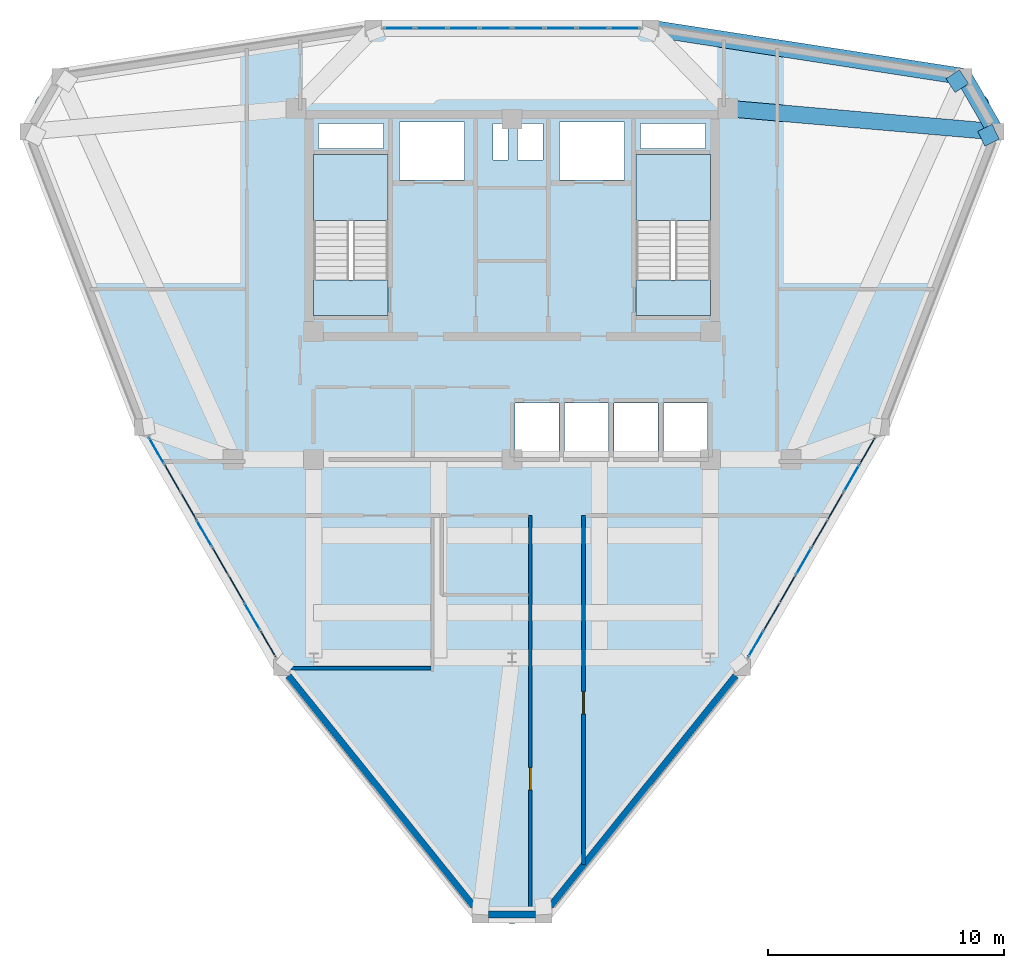
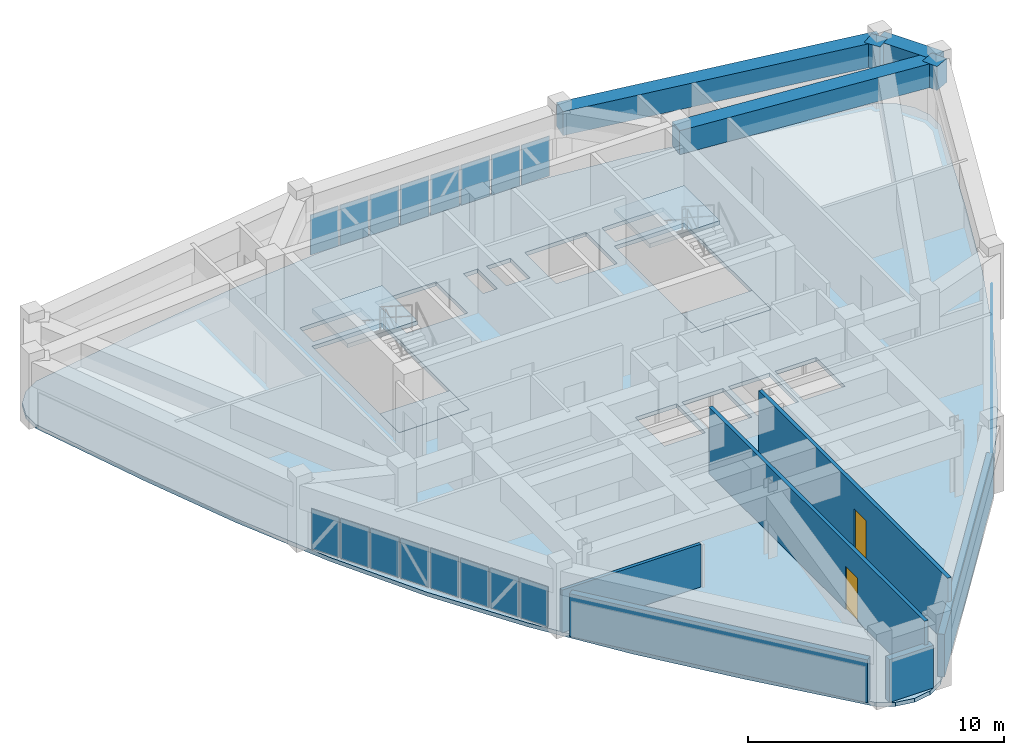
# One storey, part 10 of 14: 24 plates, 6 walls, 5 beams, 5 slabs, 2 doors, 2 openings, 5 elements without a shape of their own.
"""IFC4 building model written with IfcOpenShell, lengths in metres."""

from ifc_helpers import new_model, si_unit, derived_unit, direction, frame, frame_2d, origin, origin_2d, place, context, subcontext, project, spatial, polyline, rectangle, outline, extrude, source, transform, mapped, material, layer, layer_set, material_profile, profile_set, type_object, element, fill, aggregate, save


model = new_model("IFC4")

# Units and contexts
model_context = context("Model", 3, precision=1e-05, world=origin(), true_north=direction((0.0, 1.0)))
body_context = subcontext(model_context, "Body", "Model", "MODEL_VIEW")
ifc_project = project(units=[si_unit("LENGTHUNIT", "METRE"), si_unit("AREAUNIT", "SQUARE_METRE"), si_unit("VOLUMEUNIT", "CUBIC_METRE"), si_unit("PLANEANGLEUNIT", "RADIAN"), si_unit("MASSUNIT", "GRAM", prefix="KILO"), derived_unit("THERMALTRANSMITTANCEUNIT", [(si_unit("POWERUNIT", "WATT"), 1), (si_unit("LENGTHUNIT", "METRE"), -2), (si_unit("THERMODYNAMICTEMPERATUREUNIT", "KELVIN"), -1)])], contexts=[model_context])

# Site, building, storey
site_placement = place(None, origin())
site = spatial("IfcSite", under=ifc_project, at=site_placement, CompositionType="ELEMENT")
building_placement = place(site_placement, origin())
building = spatial("IfcBuilding", under=site, at=building_placement, Name="Korsvarv Bourse and Concert Hall", CompositionType="ELEMENT")
storey_placement = place(building_placement, frame((0.0, 0.0, 271.800048828125)))
storey = spatial("IfcBuildingStorey", under=building, at=storey_placement, Name="L71", CompositionType="ELEMENT", Elevation=271.800048828125)

# Beams
ifc_material_1 = material(Name="Concrete C50/60", Category="concrete")
ifc_material_profile = material_profile(ifc_material_1, rectangle(XDim=0.699951171875, YDim=1.139892578125, at=origin_2d()), Name="RC-BM 700x1140")
ifc_profile_set = profile_set([ifc_material_profile], Name="Concrete C50/60")
beam_type = type_object("IfcBeamType", Name="BM-TR-114", PredefinedType="BEAM", material=ifc_profile_set)
shared_shape_1 = source(origin(), body_context, "Body", "SweptSolid", [
    extrude(rectangle(XDim=0.699951171875, YDim=1.139892578125, at=origin_2d()), origin(), (0.0, 0.0, 1.0), 2.6923828125),
])
beam_1_placement = place(storey_placement, frame((56.47412109375, 46.266357421875, 2.60986328125), z_axis=(-0.500020738559, 0.86601343004, 0.0), x_axis=(-0.86601343004, -0.500020738559, 0.0)))
element("IfcBeam", 1, at=beam_1_placement, inside=storey, type_object=beam_type, Name="L71 beam B-TR5", PredefinedType="BEAM", context=body_context, shape_type="MappedRepresentation", body=[
    mapped(shared_shape_1, transform((0.0, 0.0, 0.0), scale=1.0)),
])
shared_shape_2 = source(origin(), body_context, "Body", "SweptSolid", [
    extrude(rectangle(XDim=0.699951171875, YDim=1.139892578125, at=origin_2d()), origin(), (0.0, 0.0, 1.0), 13.416015625),
])
beam_2_placement = place(storey_placement, frame((55.1279296875, 48.597900390625, 2.60986328125), z_axis=(-0.988270074885, 0.152716269881, 0.0), x_axis=(-0.152716269881, -0.988270074885, 0.0)))
element("IfcBeam", 2, at=beam_2_placement, inside=storey, type_object=beam_type, Name="L71 beam B-TR5", PredefinedType="BEAM", context=body_context, shape_type="MappedRepresentation", body=[
    mapped(shared_shape_2, transform((0.0, 0.0, 0.0), scale=1.0)),
])
shared_shape_3 = source(origin(), body_context, "Body", "SweptSolid", [
    extrude(rectangle(XDim=0.699951171875, YDim=1.139892578125, at=origin_2d()), origin(), (0.0, 0.0, 1.0), 11.366943359375),
])
beam_3_placement = place(storey_placement, frame((56.47412109375, 46.266357421875, 2.60986328125), z_axis=(-0.996248723785, 0.086536006126, 0.0), x_axis=(-0.086536006126, -0.996248723785, 0.0)))
element("IfcBeam", 3, at=beam_3_placement, inside=storey, type_object=beam_type, Name="L71 beam B-TR5", PredefinedType="BEAM", context=body_context, shape_type="MappedRepresentation", body=[
    mapped(shared_shape_3, transform((0.0, 0.0, 0.0), scale=1.0)),
])
shared_shape_4 = source(origin(), body_context, "Body", "SweptSolid", [
    extrude(rectangle(XDim=0.699951171875, YDim=1.139892578125, at=origin_2d()), origin(), (0.0, 0.0, 1.0), 0.679931640625),
])
beam_4_placement = place(storey_placement, frame((56.47412109375, 46.266357421875, 2.60986328125), z_axis=(-0.898412695999, -0.439152169148, 0.0), x_axis=(0.439152169148, -0.898412695999, 0.0)))
element("IfcBeam", 4, at=beam_4_placement, inside=storey, type_object=beam_type, Name="L71 beam B-TR5", PredefinedType="BEAM", context=body_context, shape_type="MappedRepresentation", body=[
    mapped(shared_shape_4, transform((0.0, 0.0, 0.0), scale=1.0)),
])
shared_shape_5 = source(origin(), body_context, "Body", "SweptSolid", [
    extrude(rectangle(XDim=0.699951171875, YDim=1.139892578125, at=origin_2d()), origin(), (0.0, 0.0, 1.0), 0.6796875),
])
beam_5_placement = place(storey_placement, frame((55.1279296875, 48.597900390625, 2.60986328125), z_axis=(-0.829443720355, -0.5585902924, 0.0), x_axis=(0.5585902924, -0.829443720355, 0.0)))
element("IfcBeam", 5, at=beam_5_placement, inside=storey, type_object=beam_type, Name="L71 beam B-TR5", PredefinedType="BEAM", context=body_context, shape_type="MappedRepresentation", body=[
    mapped(shared_shape_5, transform((0.0, 0.0, 0.0), scale=1.0)),
])

# Slabs
ifc_material_2 = material(Name="Precast concrete C45/55", Category="concrete")
ifc_layer_1 = layer(ifc_material_2, 0.199951171875)
ifc_layer_set_1 = layer_set([ifc_layer_1], Name="Precast concrete C45/55")
slab_type_1 = type_object("IfcSlabType", Name="SLB-FLND-T", PredefinedType="LANDING", material=ifc_layer_set_1)
slab_1_placement = place(storey_placement, frame((0.0, 0.0, -0.199951171875)))
element("IfcSlab", 6, at=slab_1_placement, inside=storey, type_object=slab_type_1, Name="L71 Stair ST-T1 Floor Landing Slab", PredefinedType="LANDING", context=body_context, shape_type="SweptSolid", body=[
    extrude(outline(polyline([(30.760009765625, 38.5), (30.760009765625, 40.0), (27.60009765625, 40.0), (27.60009765625, 38.5), (30.760009765625, 38.5)])), origin(), (0.0, 0.0, 1.0), 0.199951171875),
])
slab_2_placement = place(storey_placement, frame((0.0, 0.0, -0.199951171875)))
element("IfcSlab", 7, at=slab_2_placement, inside=storey, type_object=slab_type_1, Name="L71 Stair ST-T2 Floor Landing Slab", PredefinedType="LANDING", context=body_context, shape_type="SweptSolid", body=[
    extrude(outline(polyline([(44.39990234375, 38.5), (44.39990234375, 40.0), (41.239990234375, 40.0), (41.239990234375, 38.5), (44.39990234375, 38.5)])), origin(), (0.0, 0.0, 1.0), 0.199951171875),
])

# Stair, slab
stair_type = type_object("IfcStairType", Name="STR-TYPE-04", PredefinedType="HALF_TURN_STAIR", material=ifc_material_2)
stair_1_placement = place(storey_placement, origin())
stair_1 = element("IfcStair", 8, at=stair_1_placement, inside=storey, type_object=stair_type, Name="L71 Tower West Exit Stair ST-T1", PredefinedType="HALF_TURN_STAIR")
ifc_layer_2 = layer(ifc_material_2, 0.199951171875)
ifc_layer_set_2 = layer_set([ifc_layer_2], Name="Precast concrete C45/55")
slab_type_2 = type_object("IfcSlabType", Name="SLB-ST-LND", PredefinedType="LANDING", material=ifc_layer_set_2)
slab_3_placement = place(storey_placement, frame((0.0, 0.0, 1.599853515625)))
slab_3 = element("IfcSlab", 9, at=slab_3_placement, type_object=slab_type_2, Name="ST-T1 landing 1", PredefinedType="LANDING", context=body_context, shape_type="SweptSolid", body=[
    extrude(outline(polyline([(30.760009765625, 42.52001953125), (30.760009765625, 45.300048828125), (27.60009765625, 45.300048828125), (27.60009765625, 42.52001953125), (30.760009765625, 42.52001953125)])), origin(), (0.0, 0.0, 1.0), 0.2001953125),
])
aggregate(stair_1, [slab_3])

stair_2_placement = place(storey_placement, origin())
stair_2 = element("IfcStair", 10, at=stair_2_placement, inside=storey, type_object=stair_type, Name="L71 Tower East Exit Stair ST-T2", PredefinedType="HALF_TURN_STAIR")
slab_4_placement = place(storey_placement, frame((0.0, 0.0, 1.599853515625)))
slab_4 = element("IfcSlab", 11, at=slab_4_placement, type_object=slab_type_2, Name="ST-T2 landing 1", PredefinedType="LANDING", context=body_context, shape_type="SweptSolid", body=[
    extrude(outline(polyline([(44.39990234375, 42.52001953125), (44.39990234375, 45.300048828125), (41.239990234375, 45.300048828125), (41.239990234375, 42.52001953125), (44.39990234375, 42.52001953125)])), origin(), (0.0, 0.0, 1.0), 0.2001953125),
])
aggregate(stair_2, [slab_4])

# Slab
ifc_material_3 = material(Name="Concrete C45/55", Category="concrete")
ifc_layer_3 = layer(ifc_material_3, 0.18994140625)
ifc_layer_set_3 = layer_set([ifc_layer_3], Name="Concrete C45/55")
slab_type_3 = type_object("IfcSlabType", Name="SLB-TW3", PredefinedType="FLOOR", material=ifc_layer_set_3)
slab_5_placement = place(storey_placement, frame((0.0, 0.0, -0.18994140625)))
element("IfcSlab", 12, at=slab_5_placement, inside=storey, type_object=slab_type_3, Name="L71 tower structural floor slab", PredefinedType="FLOOR", context=body_context, shape_type="SweptSolid", body=[
    extrude(outline(polyline([(56.08740234375, 45.17529296875), (54.519287109375, 40.856201171875), (52.853515625, 36.618408203125), (51.00048828125, 32.50830078125), (48.89892578125, 28.552734375), (46.524169921875, 24.755126953125), (43.891357421875, 21.09521484375), (41.05419921875, 17.53369140625), (38.09716796875, 14.015625), (37.482421875, 13.283203125), (36.788818359375, 12.8828125), (36.0, 12.74365234375), (35.211181640625, 12.8828125), (34.517578125, 13.283203125), (33.90234375, 14.01611328125), (30.94580078125, 17.53369140625), (28.108642578125, 21.09521484375), (25.475830078125, 24.755126953125), (23.10107421875, 28.552734375), (20.99951171875, 32.50830078125), (19.146484375, 36.618408203125), (17.480712890625, 40.856201171875), (15.912353515625, 45.176025390625), (15.58544921875, 46.074462890625), (15.58544921875, 46.87548828125), (15.859375, 47.628173828125), (16.374267578125, 48.24169921875), (17.06787109375, 48.642333984375), (18.01025390625, 48.80859375), (22.53466796875, 49.610107421875), (27.037841796875, 50.28662109375), (31.523681640625, 50.73681640625), (36.0, 50.89453125), (40.476318359375, 50.73681640625), (44.962158203125, 50.28662109375), (49.46533203125, 49.610107421875), (53.990478515625, 48.808349609375), (54.93212890625, 48.642333984375), (55.625732421875, 48.24169921875), (56.140625, 47.628173828125), (56.41455078125, 46.87548828125), (56.41455078125, 46.074462890625), (56.08740234375, 45.17529296875)]), holes=[polyline([(30.760009765625, 38.5), (30.760009765625, 45.300048828125), (27.60009765625, 45.300048828125), (27.60009765625, 38.5), (30.760009765625, 38.5)]), polyline([(44.39990234375, 38.5), (44.39990234375, 45.300048828125), (41.239990234375, 45.300048828125), (41.239990234375, 38.5), (44.39990234375, 38.5)]), polyline([(31.239990234375, 44.219970703125), (34.0, 44.219970703125), (34.0, 46.679931640625), (31.239990234375, 46.679931640625), (31.239990234375, 44.219970703125)]), polyline([(38.0, 44.219970703125), (40.760009765625, 44.219970703125), (40.760009765625, 46.679931640625), (38.0, 46.679931640625), (38.0, 44.219970703125)]), polyline([(36.1201171875, 32.52001953125), (37.97998046875, 32.52001953125), (37.97998046875, 34.780029296875), (36.1201171875, 34.780029296875), (36.1201171875, 32.52001953125)]), polyline([(38.219970703125, 32.52001953125), (40.080078125, 32.52001953125), (40.080078125, 34.780029296875), (38.219970703125, 34.780029296875), (38.219970703125, 32.52001953125)]), polyline([(40.320068359375, 32.52001953125), (42.179931640625, 32.52001953125), (42.179931640625, 34.780029296875), (40.320068359375, 34.780029296875), (40.320068359375, 32.52001953125)]), polyline([(42.419921875, 32.52001953125), (44.280029296875, 32.52001953125), (44.280029296875, 34.780029296875), (42.419921875, 34.780029296875), (42.419921875, 32.52001953125)]), polyline([(27.800048828125, 45.56005859375), (30.56005859375, 45.56005859375), (30.56005859375, 46.6201171875), (27.800048828125, 46.6201171875), (27.800048828125, 45.56005859375)]), polyline([(41.43994140625, 45.56005859375), (44.199951171875, 45.56005859375), (44.199951171875, 46.6201171875), (41.43994140625, 46.6201171875), (41.43994140625, 45.56005859375)]), polyline([(35.199951171875, 45.080078125), (35.840087890625, 45.080078125), (35.840087890625, 46.6201171875), (35.199951171875, 46.6201171875), (35.199951171875, 45.080078125)]), polyline([(36.239990234375, 45.080078125), (37.320068359375, 45.080078125), (37.320068359375, 46.6201171875), (36.239990234375, 46.6201171875), (36.239990234375, 45.080078125)])]), origin(), (0.0, 0.0, 1.0), 0.18994140625),
])

# Curtain wall, plates
ifc_material_4 = material(Name="Anodised aluminium and triple low-E glazing", Category="glass")
ifc_layer_4 = layer(ifc_material_4, 0.199951171875)
ifc_layer_set_4 = layer_set([ifc_layer_4], Name="Anodised aluminium and triple low-E glazing")
curtain_wall_type = type_object("IfcCurtainWallType", Name="CW-SYS-3", PredefinedType="NOTDEFINED", material=ifc_layer_set_4)
curtain_wall_1_placement = place(storey_placement, origin())
curtain_wall_1 = element("IfcCurtainWall", 13, at=curtain_wall_1_placement, inside=storey, type_object=curtain_wall_type, Name="L71 CW3 curtain wall CW-L71-F03", PredefinedType="NOTDEFINED")
ifc_material_5 = material(Name="Insulated spandrel glass", Category="glass")
ifc_layer_5 = layer(ifc_material_5, 0.031982421875)
ifc_layer_set_5 = layer_set([ifc_layer_5], Name="Insulated spandrel glass")
plate_type_1 = type_object("IfcPlateType", Name="CWP-SPD1", PredefinedType="CURTAIN_PANEL", material=ifc_layer_set_5)
shared_shape_6 = source(origin(), body_context, "Body", "SweptSolid", [
    extrude(rectangle(XDim=1.262451171875, YDim=0.031982421875, at=origin_2d()), origin(), (0.0, 0.0, 1.0), 1.909912109375),
])
plate_1_placement = place(storey_placement, frame((40.768310546875, 50.646728515625, 0.06494140625), z_axis=(0.0, 0.0, 1.0), x_axis=(-1.0, 0.0, 0.0)))
plate_1 = element("IfcPlate", 14, at=plate_1_placement, type_object=plate_type_1, Name="CW3 spandrel shadow-box panel 1.1", PredefinedType="CURTAIN_PANEL", context=body_context, shape_type="MappedRepresentation", body=[
    mapped(shared_shape_6, transform((0.0, 0.0, 0.0), scale=1.0)),
])
ifc_material_6 = material(Name="Tempered triple insulated low-E architectural glass", Category="glass")
ifc_layer_6 = layer(ifc_material_6, 0.0380859375)
ifc_layer_set_6 = layer_set([ifc_layer_6], Name="Tempered triple insulated low-E architectural glass")
plate_type_2 = type_object("IfcPlateType", Name="CWP-VIS2", PredefinedType="CURTAIN_PANEL", material=ifc_layer_set_6)
shared_shape_7 = source(origin(), body_context, "Body", "SweptSolid", [
    extrude(rectangle(XDim=1.29736328125, YDim=0.0380859375, at=origin_2d()), origin(), (0.0, 0.0, 1.0), 1.909912109375),
])
plate_2_placement = place(storey_placement, frame((39.41845703125, 50.646728515625, 0.06494140625), z_axis=(0.0, 0.0, 1.0), x_axis=(-1.0, 0.0, 0.0)))
plate_2 = element("IfcPlate", 15, at=plate_2_placement, type_object=plate_type_2, Name="CW3 faceted panel 2.1", PredefinedType="CURTAIN_PANEL", context=body_context, shape_type="MappedRepresentation", body=[
    mapped(shared_shape_7, transform((0.0, 0.0, 0.0), scale=1.0)),
])
plate_3_placement = place(storey_placement, frame((38.051025390625, 50.646728515625, 0.06494140625), z_axis=(0.0, 0.0, 1.0), x_axis=(-1.0, 0.0, 0.0)))
plate_3 = element("IfcPlate", 16, at=plate_3_placement, type_object=plate_type_2, Name="CW3 faceted panel 3.1", PredefinedType="CURTAIN_PANEL", context=body_context, shape_type="MappedRepresentation", body=[
    mapped(shared_shape_7, transform((0.0, 0.0, 0.0), scale=1.0)),
])
plate_4_placement = place(storey_placement, frame((35.31640625, 50.646728515625, 0.06494140625), z_axis=(0.0, 0.0, 1.0), x_axis=(-1.0, 0.0, 0.0)))
plate_4 = element("IfcPlate", 17, at=plate_4_placement, type_object=plate_type_2, Name="CW3 faceted panel 5.1", PredefinedType="CURTAIN_PANEL", context=body_context, shape_type="MappedRepresentation", body=[
    mapped(shared_shape_7, transform((0.0, 0.0, 0.0), scale=1.0)),
])
plate_5_placement = place(storey_placement, frame((33.948974609375, 50.646728515625, 0.06494140625), z_axis=(0.0, 0.0, 1.0), x_axis=(-1.0, 0.0, 0.0)))
plate_5 = element("IfcPlate", 18, at=plate_5_placement, type_object=plate_type_2, Name="CW3 faceted panel 6.1", PredefinedType="CURTAIN_PANEL", context=body_context, shape_type="MappedRepresentation", body=[
    mapped(shared_shape_7, transform((0.0, 0.0, 0.0), scale=1.0)),
])
shared_shape_8 = source(origin(), body_context, "Body", "SweptSolid", [
    extrude(rectangle(XDim=1.29736328125, YDim=0.031982421875, at=origin_2d()), origin(), (0.0, 0.0, 1.0), 1.909912109375),
])
plate_6_placement = place(storey_placement, frame((36.68359375, 50.646728515625, 0.06494140625), z_axis=(0.0, 0.0, 1.0), x_axis=(-1.0, 0.0, 0.0)))
plate_6 = element("IfcPlate", 19, at=plate_6_placement, type_object=plate_type_1, Name="CW3 spandrel shadow-box panel 4.1", PredefinedType="CURTAIN_PANEL", context=body_context, shape_type="MappedRepresentation", body=[
    mapped(shared_shape_8, transform((0.0, 0.0, 0.0), scale=1.0)),
])
plate_7_placement = place(storey_placement, frame((32.58154296875, 50.646728515625, 0.06494140625), z_axis=(0.0, 0.0, 1.0), x_axis=(-1.0, 0.0, 0.0)))
plate_7 = element("IfcPlate", 20, at=plate_7_placement, type_object=plate_type_1, Name="CW3 spandrel shadow-box panel 7.1", PredefinedType="CURTAIN_PANEL", context=body_context, shape_type="MappedRepresentation", body=[
    mapped(shared_shape_8, transform((0.0, 0.0, 0.0), scale=1.0)),
])
shared_shape_9 = source(origin(), body_context, "Body", "SweptSolid", [
    extrude(rectangle(XDim=1.262451171875, YDim=0.0380859375, at=origin_2d()), origin(), (0.0, 0.0, 1.0), 1.909912109375),
])
plate_8_placement = place(storey_placement, frame((31.231689453125, 50.646728515625, 0.06494140625), z_axis=(0.0, 0.0, 1.0), x_axis=(-1.0, 0.0, 0.0)))
plate_8 = element("IfcPlate", 21, at=plate_8_placement, type_object=plate_type_2, Name="CW3 faceted panel 8.1", PredefinedType="CURTAIN_PANEL", context=body_context, shape_type="MappedRepresentation", body=[
    mapped(shared_shape_9, transform((0.0, 0.0, 0.0), scale=1.0)),
])
aggregate(curtain_wall_1, [plate_1, plate_2, plate_3, plate_6, plate_4, plate_5, plate_7, plate_8])

# Curtain wall, plate
curtain_wall_2_placement = place(storey_placement, origin())
curtain_wall_2 = element("IfcCurtainWall", 22, at=curtain_wall_2_placement, inside=storey, type_object=curtain_wall_type, Name="L71 CW3 curtain wall CW-L71-F07", PredefinedType="NOTDEFINED")
shared_shape_10 = source(origin(), body_context, "Body", "SweptSolid", [
    extrude(rectangle(XDim=1.246826171875, YDim=0.031982421875, at=origin_2d()), origin(), (0.0, 0.0, 1.0), 1.909912109375),
])
plate_9_placement = place(storey_placement, frame((20.95849609375, 32.75927734375, 0.06494140625), z_axis=(0.0, 0.0, 1.0), x_axis=(0.500004450195, -0.866022834448, 0.0)))
plate_9 = element("IfcPlate", 23, at=plate_9_placement, type_object=plate_type_1, Name="CW3 spandrel shadow-box panel 1.1", PredefinedType="CURTAIN_PANEL", context=body_context, shape_type="MappedRepresentation", body=[
    mapped(shared_shape_10, transform((0.0, 0.0, 0.0), scale=1.0)),
])

curtain_wall_3_placement = place(storey_placement, origin())
curtain_wall_3 = element("IfcCurtainWall", 24, at=curtain_wall_3_placement, inside=storey, type_object=curtain_wall_type, Name="L71 CW3 curtain wall CW-L71-F11", PredefinedType="NOTDEFINED")
plate_10_placement = place(storey_placement, frame((46.327392578125, 24.593994140625, 0.06494140625), z_axis=(0.0, 0.0, 1.0), x_axis=(0.500004450195, 0.866022834448, 0.0)))
plate_10 = element("IfcPlate", 25, at=plate_10_placement, type_object=plate_type_1, Name="CW3 spandrel shadow-box panel 1.1", PredefinedType="CURTAIN_PANEL", context=body_context, shape_type="MappedRepresentation", body=[
    mapped(shared_shape_10, transform((0.0, 0.0, 0.0), scale=1.0)),
])

# Plate
shared_shape_11 = source(origin(), body_context, "Body", "SweptSolid", [
    extrude(rectangle(XDim=1.281982421875, YDim=0.0380859375, at=origin_2d()), origin(), (0.0, 0.0, 1.0), 1.909912109375),
])
plate_11_placement = place(storey_placement, frame((21.625732421875, 31.603515625, 0.06494140625), z_axis=(0.0, 0.0, 1.0), x_axis=(0.500004450195, -0.866022834448, 0.0)))
plate_11 = element("IfcPlate", 26, at=plate_11_placement, type_object=plate_type_2, Name="CW3 faceted panel 2.1", PredefinedType="CURTAIN_PANEL", context=body_context, shape_type="MappedRepresentation", body=[
    mapped(shared_shape_11, transform((0.0, 0.0, 0.0), scale=1.0)),
])

plate_12_placement = place(storey_placement, frame((22.301513671875, 30.432861328125, 0.06494140625), z_axis=(0.0, 0.0, 1.0), x_axis=(0.500004450195, -0.866022834448, 0.0)))
plate_12 = element("IfcPlate", 27, at=plate_12_placement, type_object=plate_type_2, Name="CW3 faceted panel 3.1", PredefinedType="CURTAIN_PANEL", context=body_context, shape_type="MappedRepresentation", body=[
    mapped(shared_shape_11, transform((0.0, 0.0, 0.0), scale=1.0)),
])

plate_13_placement = place(storey_placement, frame((23.653564453125, 28.09130859375, 0.06494140625), z_axis=(0.0, 0.0, 1.0), x_axis=(0.500004450195, -0.866022834448, 0.0)))
plate_13 = element("IfcPlate", 28, at=plate_13_placement, type_object=plate_type_2, Name="CW3 faceted panel 5.1", PredefinedType="CURTAIN_PANEL", context=body_context, shape_type="MappedRepresentation", body=[
    mapped(shared_shape_11, transform((0.0, 0.0, 0.0), scale=1.0)),
])

plate_14_placement = place(storey_placement, frame((24.32958984375, 26.92041015625, 0.06494140625), z_axis=(0.0, 0.0, 1.0), x_axis=(0.500004450195, -0.866022834448, 0.0)))
plate_14 = element("IfcPlate", 29, at=plate_14_placement, type_object=plate_type_2, Name="CW3 faceted panel 6.1", PredefinedType="CURTAIN_PANEL", context=body_context, shape_type="MappedRepresentation", body=[
    mapped(shared_shape_11, transform((0.0, 0.0, 0.0), scale=1.0)),
])

plate_15_placement = place(storey_placement, frame((46.99462890625, 25.749755859375, 0.06494140625), z_axis=(0.0, 0.0, 1.0), x_axis=(0.500004450195, 0.866022834448, 0.0)))
plate_15 = element("IfcPlate", 30, at=plate_15_placement, type_object=plate_type_2, Name="CW3 faceted panel 2.1", PredefinedType="CURTAIN_PANEL", context=body_context, shape_type="MappedRepresentation", body=[
    mapped(shared_shape_11, transform((0.0, 0.0, 0.0), scale=1.0)),
])

plate_16_placement = place(storey_placement, frame((47.67041015625, 26.92041015625, 0.06494140625), z_axis=(0.0, 0.0, 1.0), x_axis=(0.500004450195, 0.866022834448, 0.0)))
plate_16 = element("IfcPlate", 31, at=plate_16_placement, type_object=plate_type_2, Name="CW3 faceted panel 3.1", PredefinedType="CURTAIN_PANEL", context=body_context, shape_type="MappedRepresentation", body=[
    mapped(shared_shape_11, transform((0.0, 0.0, 0.0), scale=1.0)),
])

plate_17_placement = place(storey_placement, frame((49.0224609375, 29.261962890625, 0.06494140625), z_axis=(0.0, 0.0, 1.0), x_axis=(0.500004450195, 0.866022834448, 0.0)))
plate_17 = element("IfcPlate", 32, at=plate_17_placement, type_object=plate_type_2, Name="CW3 faceted panel 5.1", PredefinedType="CURTAIN_PANEL", context=body_context, shape_type="MappedRepresentation", body=[
    mapped(shared_shape_11, transform((0.0, 0.0, 0.0), scale=1.0)),
])

plate_18_placement = place(storey_placement, frame((49.698486328125, 30.432861328125, 0.06494140625), z_axis=(0.0, 0.0, 1.0), x_axis=(0.500004450195, 0.866022834448, 0.0)))
plate_18 = element("IfcPlate", 33, at=plate_18_placement, type_object=plate_type_2, Name="CW3 faceted panel 6.1", PredefinedType="CURTAIN_PANEL", context=body_context, shape_type="MappedRepresentation", body=[
    mapped(shared_shape_11, transform((0.0, 0.0, 0.0), scale=1.0)),
])

shared_shape_12 = source(origin(), body_context, "Body", "SweptSolid", [
    extrude(rectangle(XDim=1.281982421875, YDim=0.031982421875, at=origin_2d()), origin(), (0.0, 0.0, 1.0), 1.909912109375),
])
plate_19_placement = place(storey_placement, frame((22.9775390625, 29.261962890625, 0.06494140625), z_axis=(0.0, 0.0, 1.0), x_axis=(0.500004450195, -0.866022834448, 0.0)))
plate_19 = element("IfcPlate", 34, at=plate_19_placement, type_object=plate_type_1, Name="CW3 spandrel shadow-box panel 4.1", PredefinedType="CURTAIN_PANEL", context=body_context, shape_type="MappedRepresentation", body=[
    mapped(shared_shape_12, transform((0.0, 0.0, 0.0), scale=1.0)),
])

plate_20_placement = place(storey_placement, frame((25.00537109375, 25.749755859375, 0.06494140625), z_axis=(0.0, 0.0, 1.0), x_axis=(0.500004450195, -0.866022834448, 0.0)))
plate_20 = element("IfcPlate", 35, at=plate_20_placement, type_object=plate_type_1, Name="CW3 spandrel shadow-box panel 7.1", PredefinedType="CURTAIN_PANEL", context=body_context, shape_type="MappedRepresentation", body=[
    mapped(shared_shape_12, transform((0.0, 0.0, 0.0), scale=1.0)),
])

plate_21_placement = place(storey_placement, frame((48.346435546875, 28.09130859375, 0.06494140625), z_axis=(0.0, 0.0, 1.0), x_axis=(0.500004450195, 0.866022834448, 0.0)))
plate_21 = element("IfcPlate", 36, at=plate_21_placement, type_object=plate_type_1, Name="CW3 spandrel shadow-box panel 4.1", PredefinedType="CURTAIN_PANEL", context=body_context, shape_type="MappedRepresentation", body=[
    mapped(shared_shape_12, transform((0.0, 0.0, 0.0), scale=1.0)),
])

plate_22_placement = place(storey_placement, frame((50.374267578125, 31.603515625, 0.06494140625), z_axis=(0.0, 0.0, 1.0), x_axis=(0.500004450195, 0.866022834448, 0.0)))
plate_22 = element("IfcPlate", 37, at=plate_22_placement, type_object=plate_type_1, Name="CW3 spandrel shadow-box panel 7.1", PredefinedType="CURTAIN_PANEL", context=body_context, shape_type="MappedRepresentation", body=[
    mapped(shared_shape_12, transform((0.0, 0.0, 0.0), scale=1.0)),
])

shared_shape_13 = source(origin(), body_context, "Body", "SweptSolid", [
    extrude(rectangle(XDim=1.246826171875, YDim=0.0380859375, at=origin_2d()), origin(), (0.0, 0.0, 1.0), 1.909912109375),
])
plate_23_placement = place(storey_placement, frame((25.672607421875, 24.593994140625, 0.06494140625), z_axis=(0.0, 0.0, 1.0), x_axis=(0.500004450195, -0.866022834448, 0.0)))
plate_23 = element("IfcPlate", 38, at=plate_23_placement, type_object=plate_type_2, Name="CW3 faceted panel 8.1", PredefinedType="CURTAIN_PANEL", context=body_context, shape_type="MappedRepresentation", body=[
    mapped(shared_shape_13, transform((0.0, 0.0, 0.0), scale=1.0)),
])

aggregate(curtain_wall_2, [plate_9, plate_11, plate_12, plate_19, plate_13, plate_14, plate_20, plate_23])

plate_24_placement = place(storey_placement, frame((51.04150390625, 32.75927734375, 0.06494140625), z_axis=(0.0, 0.0, 1.0), x_axis=(0.500004450195, 0.866022834448, 0.0)))
plate_24 = element("IfcPlate", 39, at=plate_24_placement, type_object=plate_type_2, Name="CW3 faceted panel 8.1", PredefinedType="CURTAIN_PANEL", context=body_context, shape_type="MappedRepresentation", body=[
    mapped(shared_shape_13, transform((0.0, 0.0, 0.0), scale=1.0)),
])

aggregate(curtain_wall_3, [plate_10, plate_15, plate_16, plate_21, plate_17, plate_18, plate_22, plate_24])

# Walls
ifc_material_7 = material(Name="Precast concrete C45/55 with terracotta rainscreen", Category="concrete")
ifc_layer_7 = layer(ifc_material_7, 0.300048828125)
ifc_layer_set_7 = layer_set([ifc_layer_7], Name="Precast concrete C45/55 with terracotta rainscreen")
wall_type_1 = type_object("IfcWallType", Name="WL-EXT-TC1", PredefinedType="SOLIDWALL", material=ifc_layer_set_7)
wall_1_placement = place(storey_placement, frame((35.0087890625, 13.135498046875, 0.0), z_axis=(0.0, 0.0, 1.0), x_axis=(1.0, 0.0, 0.0)))
element("IfcWall", 40, at=wall_1_placement, inside=storey, type_object=wall_type_1, Name="L71 terracotta exterior wall EW-L71-B09", PredefinedType="SOLIDWALL", context=body_context, shape_type="SweptSolid", body=[
    extrude(rectangle(XDim=1.982421875, YDim=0.300048828125, at=frame_2d((0.9912109375, 0.0))), origin(), (0.0, 0.0, 1.0), 2.0400390625),
])
ifc_material_8 = material(Name="Precast concrete C45/55 with fluted terracotta pier", Category="concrete")
ifc_layer_8 = layer(ifc_material_8, 0.280029296875)
ifc_layer_set_8 = layer_set([ifc_layer_8], Name="Precast concrete C45/55 with fluted terracotta pier")
wall_type_2 = type_object("IfcWallType", Name="WL-EXT-TC2", PredefinedType="SOLIDWALL", material=ifc_layer_set_8)
for number, where, z_axis, x_axis, name in (
    (41, (26.53564453125, 23.238525390625, 0.0), (0.0, 0.0, 1.0), (0.626367381926, -0.779528000048, 0.0), "L71 terracotta exterior wall EW-L71-B08"),
    (42, (37.631591796875, 13.490478515625, 0.0), (0.0, 0.0, 1.0), (0.626367381926, 0.779528000048, 0.0), "L71 terracotta exterior wall EW-L71-B10"),
):
    element("IfcWall", number, at=place(storey_placement, frame(where, z_axis=z_axis, x_axis=x_axis)), inside=storey, type_object=wall_type_2, Name=name, PredefinedType="SOLIDWALL", context=body_context, shape_type="SweptSolid", body=[
        extrude(rectangle(XDim=12.505126953125, YDim=0.280029296875, at=frame_2d((6.25244140625, 0.0))), origin(), (0.0, 0.0, 1.0), 2.0400390625),
    ])

# Wall, opening, door
ifc_material_9 = material(Name="Double-stud fire-rated acoustic partition", Category="gypsum")
ifc_layer_9 = layer(ifc_material_9, 0.159912109375)
ifc_layer_set_9 = layer_set([ifc_layer_9], Name="Double-stud fire-rated acoustic partition")
wall_type_3 = type_object("IfcWallType", Name="WL-INT-EI60", PredefinedType="PARTITIONING", material=ifc_layer_set_9)
wall_2_placement = place(storey_placement, frame((36.77490234375, 13.155517578125, 0.0), z_axis=(0.0, 0.0, 1.0), x_axis=(0.0, 1.0, 0.0)))
wall_2 = element("IfcWall", 43, at=wall_2_placement, inside=storey, type_object=wall_type_3, Name="L71 interior partition wall W-L71-TCOR-03", PredefinedType="PARTITIONING", context=body_context, shape_type="SweptSolid", body=[
    extrude(rectangle(XDim=16.87451171875, YDim=0.159912109375, at=frame_2d((8.437255859375, 0.0))), origin(), (0.0, 0.0, 1.0), 3.179931640625),
])
opening_1_placement = place(wall_2_placement, frame((5.24462890625, 0.0, 0.0)))
opening_1 = element("IfcOpeningElement", 44, at=opening_1_placement, cuts=wall_2, Name="Opening D-02", PredefinedType="OPENING", context=body_context, shape_type="SweptSolid", body=[
    extrude(rectangle(XDim=0.949951171875, YDim=2.050048828125, at=frame_2d((0.47509765625, 1.02490234375))), frame((0.0, 0.08984375, 0.0), z_axis=(0.0, -1.0, 0.0), x_axis=(1.0, 0.0, 0.0)), (0.0, 0.0, 1.0), 0.179931640625),
])
ifc_material_10 = material(Name="Timber and steel acoustic fire door", Category="wood")
door_type = type_object("IfcDoorType", Name="DR-FD30", OperationType="NOTDEFINED", PredefinedType="DOOR", material=ifc_material_10)
door_1_placement = place(opening_1_placement, origin())
door_1 = element("IfcDoor", 45, at=door_1_placement, inside=storey, type_object=door_type, Name="L71 interior door DR-L71-TCOR-FO35", OperationType="SINGLE_SWING_RIGHT", OverallHeight=2.050048828125, OverallWidth=0.949951171875, PredefinedType="DOOR", context=body_context, shape_type="SweptSolid", body=[
    extrude(rectangle(XDim=0.949951171875, YDim=2.050048828125, at=frame_2d((0.47509765625, 1.02490234375))), frame((0.0, 0.02490234375, 0.0), z_axis=(0.0, -1.0, 0.0), x_axis=(1.0, 0.0, 0.0)), (0.0, 0.0, 1.0), 0.050048828125),
])
fill(opening_1, door_1)

wall_3_placement = place(storey_placement, frame((39.02490234375, 15.244873046875, 0.0), z_axis=(0.0, 0.0, 1.0), x_axis=(0.0, 1.0, 0.0)))
wall_3 = element("IfcWall", 46, at=wall_3_placement, inside=storey, type_object=wall_type_3, Name="L71 interior partition wall W-L71-TCOR-04", PredefinedType="PARTITIONING", context=body_context, shape_type="SweptSolid", body=[
    extrude(rectangle(XDim=14.78515625, YDim=0.159912109375, at=frame_2d((7.392578125, 0.0))), origin(), (0.0, 0.0, 1.0), 3.179931640625),
])
opening_2_placement = place(wall_3_placement, frame((6.376708984375, 0.0, 0.0)))
opening_2 = element("IfcOpeningElement", 47, at=opening_2_placement, cuts=wall_3, Name="Opening D-02", PredefinedType="OPENING", context=body_context, shape_type="SweptSolid", body=[
    extrude(rectangle(XDim=0.949951171875, YDim=2.050048828125, at=frame_2d((0.47509765625, 1.02490234375))), frame((0.0, 0.08984375, 0.0), z_axis=(0.0, -1.0, 0.0), x_axis=(1.0, 0.0, 0.0)), (0.0, 0.0, 1.0), 0.179931640625),
])
door_2_placement = place(opening_2_placement, origin())
door_2 = element("IfcDoor", 48, at=door_2_placement, inside=storey, type_object=door_type, Name="L71 interior door DR-L71-TCOR-FO23", OperationType="SINGLE_SWING_LEFT", OverallHeight=2.050048828125, OverallWidth=0.949951171875, PredefinedType="DOOR", context=body_context, shape_type="SweptSolid", body=[
    extrude(rectangle(XDim=0.949951171875, YDim=2.050048828125, at=frame_2d((0.47509765625, 1.02490234375))), frame((0.0, 0.02490234375, 0.0), z_axis=(0.0, -1.0, 0.0), x_axis=(1.0, 0.0, 0.0)), (0.0, 0.0, 1.0), 0.050048828125),
])
fill(opening_2, door_2)

# Wall
ifc_material_11 = material(Name="Insulated steel-stud office acoustic partition", Category="gypsum")
ifc_layer_10 = layer(ifc_material_11, 0.139892578125)
ifc_layer_set_10 = layer_set([ifc_layer_10], Name="Insulated steel-stud office acoustic partition")
wall_type_4 = type_object("IfcWallType", Name="WL-INT-P1", PredefinedType="PARTITIONING", material=ifc_layer_set_10)
wall_4_placement = place(storey_placement, frame((26.293212890625, 23.56494140625, 0.0), z_axis=(0.0, 0.0, 1.0), x_axis=(1.0, 0.0, 0.0)))
element("IfcWall", 49, at=wall_4_placement, inside=storey, type_object=wall_type_4, Name="L71 interior partition wall W-L71-TCOR-15", PredefinedType="PARTITIONING", context=body_context, shape_type="SweptSolid", body=[
    extrude(rectangle(XDim=6.269775390625, YDim=0.139892578125, at=frame_2d((3.134765625, 0.0))), origin(), (0.0, 0.0, 1.0), 2.0400390625),
])

save(model, "model.ifc")
